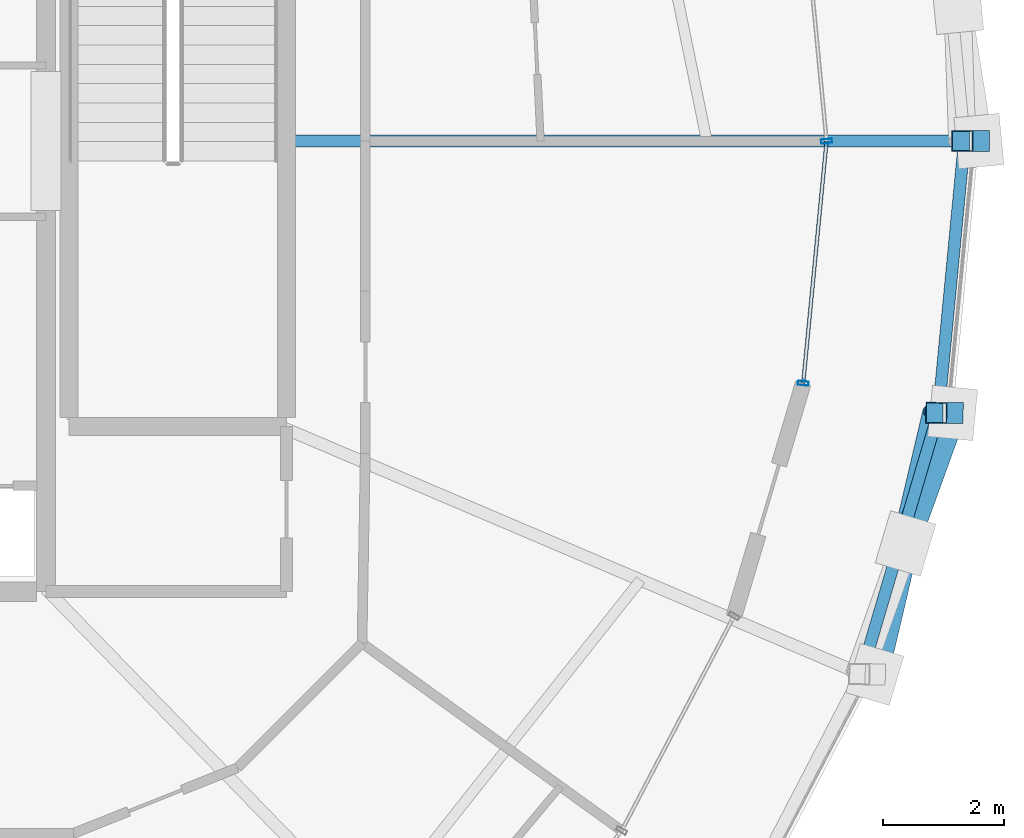
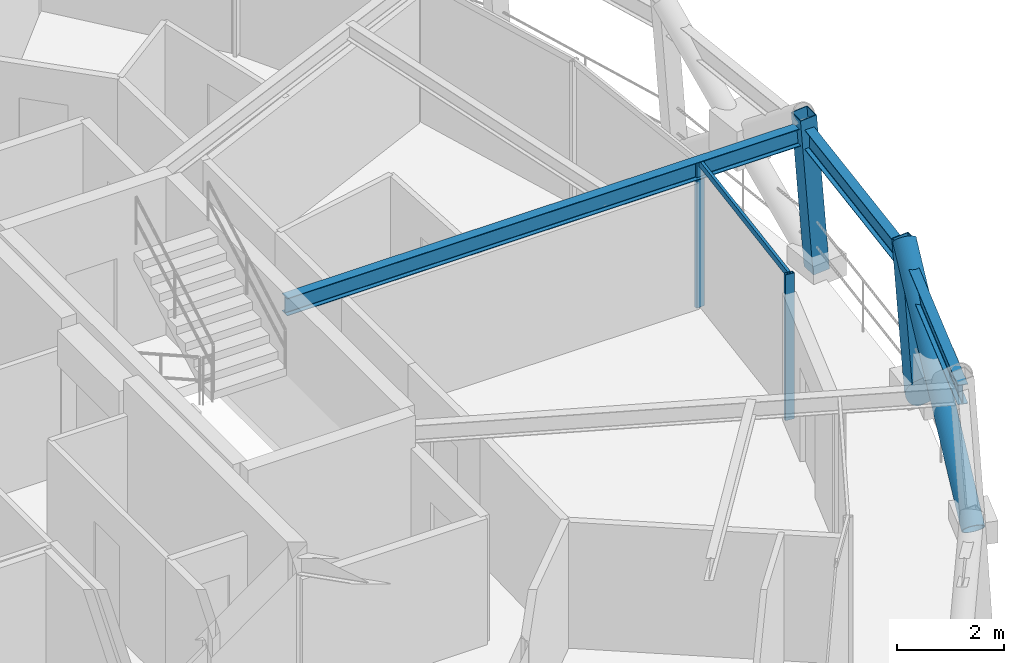
# One storey, part 5 of 15: 7 members, 3 beams, 1 element without a shape of its own.
"""IFC4 building model written with IfcOpenShell, lengths in metres."""

from ifc_helpers import new_model, si_unit, direction, frame, origin, origin_2d, place, context, subcontext, project, spatial, hollow_rectangle, hollow_circle, i_section, extrude, material, layer, layer_set, material_profile, profile_set, type_object, element, aggregate, save


model = new_model("IFC4")

# Units and contexts
model_context = context("Model", 3, precision=1e-05, world=origin(), true_north=direction((0.0, 1.0)))
body_context = subcontext(model_context, "Body", "Model", "MODEL_VIEW")
ifc_project = project(units=[si_unit("LENGTHUNIT", "METRE"), si_unit("AREAUNIT", "SQUARE_METRE"), si_unit("VOLUMEUNIT", "CUBIC_METRE"), si_unit("PLANEANGLEUNIT", "RADIAN"), si_unit("MASSUNIT", "GRAM", prefix="KILO")], contexts=[model_context])

# Site, building, storey
site_placement = place(None, origin())
site = spatial("IfcSite", under=ifc_project, at=site_placement, CompositionType="ELEMENT")
building_placement = place(site_placement, origin())
building = spatial("IfcBuilding", under=site, at=building_placement, Name="Veldorina Hangang Commons", CompositionType="ELEMENT")
storey_placement = place(building_placement, frame((0.0, 0.0, 254.39990234375)))
storey = spatial("IfcBuildingStorey", under=building, at=storey_placement, Name="L66", CompositionType="ELEMENT", Elevation=254.39990234375)

# Beams
ifc_material_1 = material(Name="Steel SM355-TMC", Category="steel")
ifc_material_profile_1 = material_profile(ifc_material_1, i_section(OverallWidth=0.199951171875, OverallDepth=0.39990234375, WebThickness=0.008056640625, FlangeThickness=0.012939453125, FilletRadius=0.012939453125, at=origin_2d()), Name="H-400x200x8x13")
ifc_profile_set_1 = profile_set([ifc_material_profile_1], Name="Steel SM355-TMC")
beam_type_1 = type_object("IfcBeamType", Name="BM-FG400", PredefinedType="BEAM", material=ifc_profile_set_1)
beam_1_placement = place(storey_placement, frame((43.179931640625, 24.0, 3.16015625), z_axis=(1.0, 0.0, 0.0), x_axis=(0.0, 1.0, 0.0)))
element("IfcBeam", 1, at=beam_1_placement, inside=storey, type_object=beam_type_1, Name="L66 radial floor girder 01", PredefinedType="BEAM", context=body_context, shape_type="SweptSolid", body=[
    extrude(i_section(OverallWidth=0.199951171875, OverallDepth=0.39990234375, WebThickness=0.008056640625, FlangeThickness=0.012939453125, FilletRadius=0.012939453125, at=origin_2d()), origin(), (0.0, 0.0, 1.0), 11.208740234375),
])
ifc_material_profile_2 = material_profile(ifc_material_1, i_section(OverallWidth=0.199951171875, OverallDepth=0.449951171875, WebThickness=0.009033203125, FlangeThickness=0.013916015625, FilletRadius=0.01611328125, at=origin_2d()), Name="H-450x200x9x14")
ifc_profile_set_2 = profile_set([ifc_material_profile_2], Name="Steel SM355-TMC")
beam_type_2 = type_object("IfcBeamType", Name="BM-RB450", PredefinedType="BEAM", material=ifc_profile_set_2)
beam_2_placement = place(storey_placement, frame((52.684326171875, 15.184814453125, 3.135009765625), z_axis=(0.282820514427, 0.959172850231, 0.0), x_axis=(-0.959172850231, 0.282820514427, 0.0)))
element("IfcBeam", 2, at=beam_2_placement, inside=storey, type_object=beam_type_2, Name="L66 perimeter hoop ring beam 30", PredefinedType="BEAM", context=body_context, shape_type="SweptSolid", body=[
    extrude(i_section(OverallWidth=0.199951171875, OverallDepth=0.449951171875, WebThickness=0.009033203125, FlangeThickness=0.013916015625, FilletRadius=0.01611328125, at=origin_2d()), origin(), (0.0, 0.0, 1.0), 4.505126953125),
])
beam_3_placement = place(storey_placement, frame((53.95849609375, 19.506103515625, 3.135009765625), z_axis=(0.095288874083, 0.995449662452, 0.0), x_axis=(-0.995449662452, 0.095288874083, 0.0)))
element("IfcBeam", 3, at=beam_3_placement, inside=storey, type_object=beam_type_2, Name="L66 perimeter hoop ring beam 31", PredefinedType="BEAM", context=body_context, shape_type="SweptSolid", body=[
    extrude(i_section(OverallWidth=0.199951171875, OverallDepth=0.449951171875, WebThickness=0.009033203125, FlangeThickness=0.013916015625, FilletRadius=0.01611328125, at=origin_2d()), origin(), (0.0, 0.0, 1.0), 4.514404296875),
])

# Curtain wall, members
ifc_material_2 = material(Name="Glass Low-E Selective", Category="glass")
ifc_layer = layer(ifc_material_2, 0.179931640625)
ifc_layer_set = layer_set([ifc_layer], Name="Glass Low-E Selective")
curtain_wall_type = type_object("IfcCurtainWallType", Name="CW-SYS-Z3", PredefinedType="NOTDEFINED", material=ifc_layer_set)
curtain_wall_placement = place(storey_placement, origin())
curtain_wall = element("IfcCurtainWall", 4, at=curtain_wall_placement, inside=storey, type_object=curtain_wall_type, Name="L66 unitised curtain wall CW-L66-R2", PredefinedType="NOTDEFINED")
ifc_material_3 = material(Name="Aluminium Anodized AA6063-T6", Category="aluminium")
ifc_material_profile_3 = material_profile(ifc_material_3, hollow_rectangle(XDim=0.070068359375, YDim=0.179931640625, WallThickness=0.00390625, at=origin_2d()), Name="ALU-RHS-180x70x4")
ifc_profile_set_3 = profile_set([ifc_material_profile_3], Name="Aluminium Anodized AA6063-T6")
member_type_1 = type_object("IfcMemberType", Name="CW-MUL-180", PredefinedType="MULLION", material=ifc_profile_set_3)
member_1_placement = place(storey_placement, frame((51.72314453125, 19.99560546875, 0.0), z_axis=(0.0, 0.0, 1.0), x_axis=(0.096054225709, 0.995376102648, 0.0)))
member_1 = element("IfcMember", 5, at=member_1_placement, type_object=member_type_1, Name="CW-L66-R2 vertical mullion 1", PredefinedType="MULLION", context=body_context, shape_type="SweptSolid", body=[
    extrude(hollow_rectangle(XDim=0.070068359375, YDim=0.179931640625, WallThickness=0.00390625, at=origin_2d()), origin(), (0.0, 0.0, 1.0), 3.320068359375),
])
member_2_placement = place(storey_placement, frame((52.109619140625, 24.0, 0.0), z_axis=(0.0, 0.0, 1.0), x_axis=(-0.096054225709, 0.995376102648, 0.0)))
member_2 = element("IfcMember", 6, at=member_2_placement, type_object=member_type_1, Name="CW-L66-R2 vertical mullion 2", PredefinedType="MULLION", context=body_context, shape_type="SweptSolid", body=[
    extrude(hollow_rectangle(XDim=0.070068359375, YDim=0.179931640625, WallThickness=0.00390625, at=origin_2d()), origin(), (0.0, 0.0, 1.0), 3.320068359375),
])
ifc_material_profile_4 = material_profile(ifc_material_3, hollow_rectangle(XDim=0.06005859375, YDim=0.139892578125, WallThickness=0.00341796875, at=origin_2d()), Name="ALU-RHS-140x60x3.5")
ifc_profile_set_4 = profile_set([ifc_material_profile_4], Name="Aluminium Anodized AA6063-T6")
member_type_2 = type_object("IfcMemberType", Name="CW-TRN-140", PredefinedType="USERDEFINED", material=ifc_profile_set_4)
member_3_placement = place(storey_placement, frame((51.72314453125, 19.99560546875, 3.280029296875), z_axis=(0.096066244022, 0.995374942803, 0.0), x_axis=(-0.995374942803, 0.096066244022, 0.0)))
member_3 = element("IfcMember", 7, at=member_3_placement, type_object=member_type_2, Name="CW-L66-R2 facet 1 transom 1", ObjectType="TRANSOM", PredefinedType="USERDEFINED", context=body_context, shape_type="SweptSolid", body=[
    extrude(hollow_rectangle(XDim=0.06005859375, YDim=0.139892578125, WallThickness=0.00341796875, at=origin_2d()), origin(), (0.0, 0.0, 1.0), 4.02294921875),
])
aggregate(curtain_wall, [member_1, member_2, member_3])

# Members
ifc_material_profile_5 = material_profile(ifc_material_1, hollow_circle(Radius=0.22509765625, WallThickness=0.02197265625, at=origin_2d()), Name="CHS-450x22")
ifc_profile_set_5 = profile_set([ifc_material_profile_5], Name="Steel SM355-TMC")
member_type_3 = type_object("IfcMemberType", Name="DG-CHS450", PredefinedType="BRACE", material=ifc_profile_set_5)
member_4_placement = place(storey_placement, frame((52.906982421875, 15.180908203125, 0.0), z_axis=(0.177726391017, 0.756372440462, 0.629534797486), x_axis=(-0.973487022148, 0.228742251691, 0.0)))
element("IfcMember", 8, at=member_4_placement, inside=storey, type_object=member_type_3, Name="L66 continuous perimeter diagrid brace 30", PredefinedType="BRACE", context=body_context, shape_type="SweptSolid", body=[
    extrude(hollow_circle(Radius=0.22509765625, WallThickness=0.02197265625, at=origin_2d()), origin(), (0.0, 0.0, 1.0), 5.71875),
])
member_5_placement = place(storey_placement, frame((54.19482421875, 19.50390625, 0.0), z_axis=(-0.267097101815, -0.739872360354, 0.617452855355), x_axis=(0.940585990142, -0.33955558477, 0.0)))
element("IfcMember", 9, at=member_5_placement, inside=storey, type_object=member_type_3, Name="L66 split perimeter diagrid lower brace 31", PredefinedType="BRACE", context=body_context, shape_type="SweptSolid", body=[
    extrude(hollow_circle(Radius=0.22509765625, WallThickness=0.02197265625, at=origin_2d()), origin(), (0.0, 0.0, 1.0), 2.917724609375),
])
ifc_material_profile_6 = material_profile(ifc_material_1, hollow_rectangle(XDim=0.35009765625, YDim=0.35009765625, WallThickness=0.01611328125, at=origin_2d()), Name="SHS-350x350x16")
ifc_profile_set_6 = profile_set([ifc_material_profile_6], Name="Steel SM355-TMC")
member_type_4 = type_object("IfcMemberType", Name="STR-SHS350", PredefinedType="STRUT", material=ifc_profile_set_6)
member_6_placement = place(storey_placement, frame((54.629638671875, 24.0, 0.0), z_axis=(-0.076675816523, 0.0, 0.997056076237), x_axis=(0.0, -1.0, 0.0)))
element("IfcMember", 10, at=member_6_placement, inside=storey, type_object=member_type_4, Name="L66 perimeter ring node post 00", PredefinedType="STRUT", context=body_context, shape_type="SweptSolid", body=[
    extrude(hollow_rectangle(XDim=0.35009765625, YDim=0.35009765625, WallThickness=0.01611328125, at=origin_2d()), origin(), (0.0, 0.0, 1.0), 3.61083984375),
])
member_7_placement = place(storey_placement, frame((54.19482421875, 19.50390625, 0.0), z_axis=(-0.075196755534, 0.000676229816, 0.997168486601), x_axis=(-0.008992442151, -0.999959567175, 0.0)))
element("IfcMember", 11, at=member_7_placement, inside=storey, type_object=member_type_4, Name="L66 perimeter ring node post 31", PredefinedType="STRUT", context=body_context, shape_type="SweptSolid", body=[
    extrude(hollow_rectangle(XDim=0.35009765625, YDim=0.35009765625, WallThickness=0.01611328125, at=origin_2d()), origin(), (0.0, 0.0, 1.0), 3.6103515625),
])

save(model, "model.ifc")
